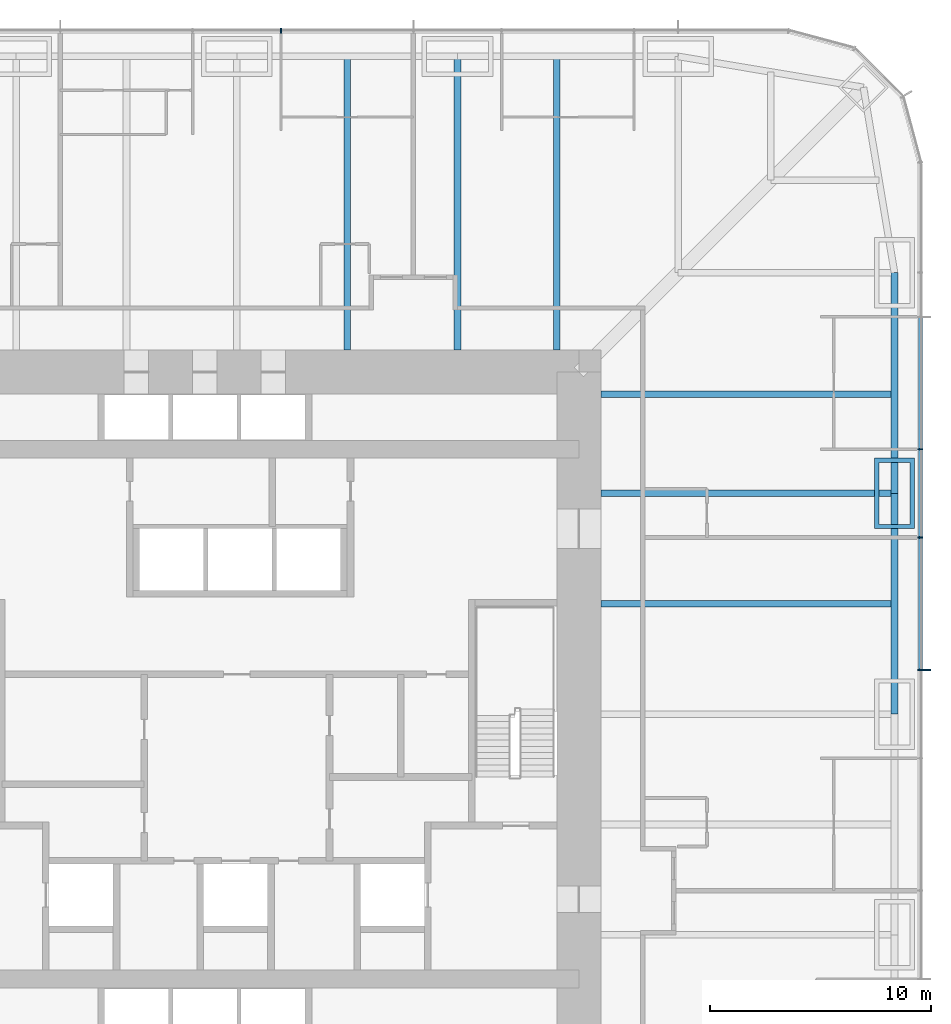
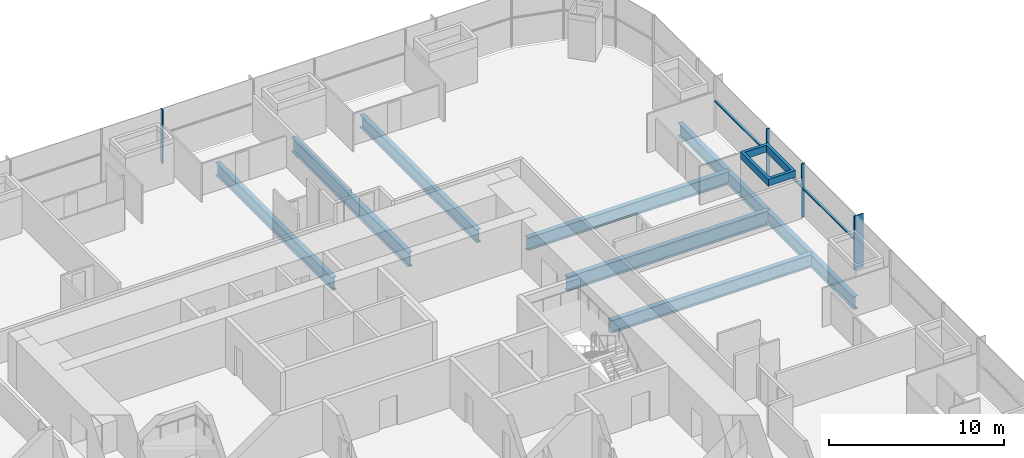
# One storey, part 8 of 17: 8 beams, 8 members, 2 elements without a shape of their own.
"""IFC4 building model written with IfcOpenShell, lengths in metres."""

from ifc_helpers import new_model, si_unit, direction, frame, origin, origin_2d, place, context, subcontext, project, spatial, rectangle, hollow_rectangle, i_section, extrude, material, material_profile, profile_set, type_object, element, aggregate, save


model = new_model("IFC4")

# Units and contexts
model_context = context("Model", 3, precision=1e-05, world=origin(), true_north=direction((0.0, 1.0)))
body_context = subcontext(model_context, "Body", "Model", "MODEL_VIEW")
ifc_project = project(units=[si_unit("LENGTHUNIT", "METRE"), si_unit("AREAUNIT", "SQUARE_METRE"), si_unit("VOLUMEUNIT", "CUBIC_METRE"), si_unit("PLANEANGLEUNIT", "RADIAN"), si_unit("MASSUNIT", "GRAM", prefix="KILO")], contexts=[model_context])

# Site, building, storey
site_placement = place(None, origin())
site = spatial("IfcSite", under=ifc_project, at=site_placement, CompositionType="ELEMENT")
building_placement = place(site_placement, origin())
building = spatial("IfcBuilding", under=site, at=building_placement, Name="Khuree Lantern Residences", CompositionType="ELEMENT")
storey_placement = place(building_placement, frame((0.0, 0.0, 96.0)))
storey = spatial("IfcBuildingStorey", under=building, at=storey_placement, Name="L24", CompositionType="ELEMENT", Elevation=96.0)

# Beams
ifc_material_1 = material(Name="Steel S355", Category="steel")
ifc_material_profile_1 = material_profile(ifc_material_1, i_section(OverallWidth=0.300048828125, OverallDepth=0.89990234375, WebThickness=0.0185546875, FlangeThickness=0.034912109375, FilletRadius=0.030029296875, at=origin_2d()), Name="HE 900 B")
ifc_profile_set_1 = profile_set([ifc_material_profile_1], Name="Steel S355")
beam_type_1 = type_object("IfcBeamType", Name="B-15A SECONDARY BEAM HE 900 B", PredefinedType="BEAM", material=ifc_profile_set_1)
for number, where, z_axis, x_axis, name in (
    (1, (5.0, 29.800048828125, -0.699951171875), (0.0, -1.0, 0.0), (1.0, 0.0, 0.0), "Secondary beam N3"),
    (2, (14.5, 29.800048828125, -0.699951171875), (0.0, -1.0, 0.0), (1.0, 0.0, 0.0), "Secondary beam N4"),
    (3, (29.800048828125, 14.5, -0.699951171875), (-1.0, 0.0, 0.0), (0.0, -1.0, 0.0), "Secondary beam E2"),
    (4, (29.800048828125, 5.0, -0.699951171875), (-1.0, 0.0, 0.0), (0.0, -1.0, 0.0), "Secondary beam E3"),
):
    element("IfcBeam", number, at=place(storey_placement, frame(where, z_axis=z_axis, x_axis=x_axis)), inside=storey, type_object=beam_type_1, Name=name, PredefinedType="BEAM", context=body_context, shape_type="SweptSolid", body=[
        extrude(i_section(OverallWidth=0.300048828125, OverallDepth=0.89990234375, WebThickness=0.0185546875, FlangeThickness=0.034912109375, FilletRadius=0.030029296875, at=origin_2d()), origin(), (0.0, 0.0, 1.0), 13.300048828125),
    ])
ifc_material_profile_2 = material_profile(ifc_material_1, i_section(OverallWidth=0.300048828125, OverallDepth=0.889892578125, WebThickness=0.01611328125, FlangeThickness=0.030029296875, FilletRadius=0.030029296875, at=origin_2d()), Name="HE 900 A")
ifc_profile_set_2 = profile_set([ifc_material_profile_2], Name="Steel S355")
beam_type_2 = type_object("IfcBeamType", Name="E-15A SPANDREL BEAM HE 900 A", PredefinedType="SPANDREL", material=ifc_profile_set_2)
for number, where, z_axis, x_axis, name in (
    (5, (29.800048828125, 20.0, -0.695068359375), (0.0, -1.0, 0.0), (1.0, 0.0, 0.0), "Spandrel beam E2"),
    (6, (29.800048828125, 10.0, -0.695068359375), (0.0, -1.0, 0.0), (1.0, 0.0, 0.0), "Spandrel beam E3"),
):
    element("IfcBeam", number, at=place(storey_placement, frame(where, z_axis=z_axis, x_axis=x_axis)), inside=storey, type_object=beam_type_2, Name=name, PredefinedType="SPANDREL", context=body_context, shape_type="SweptSolid", body=[
        extrude(i_section(OverallWidth=0.300048828125, OverallDepth=0.889892578125, WebThickness=0.01611328125, FlangeThickness=0.030029296875, FilletRadius=0.030029296875, at=origin_2d()), origin(), (0.0, 0.0, 1.0), 10.0),
    ])

# Curtain wall, member
ifc_material_2 = material(Name="Bronze anodised aluminium", Category="aluminium")
curtain_wall_type = type_object("IfcCurtainWallType", Name="CW-T1 TOWER FACE CURTAIN WALL", PredefinedType="USERDEFINED", material=ifc_material_2)
curtain_wall_1_placement = place(storey_placement, origin())
curtain_wall_1 = element("IfcCurtainWall", 7, at=curtain_wall_1_placement, inside=storey, type_object=curtain_wall_type, Name="L24 EAST FACE CURTAIN WALL", ObjectType="Stick-built curtain wall", PredefinedType="USERDEFINED")
ifc_material_profile_3 = material_profile(ifc_material_2, rectangle(XDim=0.06494140625, YDim=0.60009765625, at=origin_2d()), Name="F1 65X600")
ifc_profile_set_3 = profile_set([ifc_material_profile_3], Name="Bronze anodised aluminium")
member_type_1 = type_object("IfcMemberType", Name="F1 BRONZE FIN MULLION TOWER 65X600", PredefinedType="MULLION", material=ifc_profile_set_3)
member_1_placement = place(storey_placement, frame((31.14990234375, 2.0, 0.0), z_axis=(0.0, 0.0, 1.0), x_axis=(0.0, 1.0, 0.0)))
member_1 = element("IfcMember", 8, at=member_1_placement, type_object=member_type_1, Name="L24 EAST FACE FIN MULLION 10", PredefinedType="MULLION", context=body_context, shape_type="SweptSolid", body=[
    extrude(rectangle(XDim=0.06494140625, YDim=0.60009765625, at=origin_2d()), origin(), (0.0, 0.0, 1.0), 3.75),
])

# Beams
ifc_material_profile_4 = material_profile(ifc_material_1, i_section(OverallWidth=0.302001953125, OverallDepth=1.008056640625, WebThickness=0.02099609375, FlangeThickness=0.0400390625, FilletRadius=0.030029296875, at=origin_2d()), Name="HE 1000 M")
ifc_profile_set_4 = profile_set([ifc_material_profile_4], Name="Steel S355")
beam_type_3 = type_object("IfcBeamType", Name="G-15 GIRDER HE 1000 M", PredefinedType="BEAM", material=ifc_profile_set_4)
for number, where, z_axis, x_axis, name in (
    (9, (10.0, 29.800048828125, -0.75390625), (0.0, -1.0, 0.0), (1.0, 0.0, 0.0), "Girder N4"),
    (10, (29.800048828125, 10.0, -0.75390625), (-1.0, 0.0, 0.0), (0.0, -1.0, 0.0), "Girder E2"),
):
    element("IfcBeam", number, at=place(storey_placement, frame(where, z_axis=z_axis, x_axis=x_axis)), inside=storey, type_object=beam_type_3, Name=name, PredefinedType="BEAM", context=body_context, shape_type="SweptSolid", body=[
        extrude(i_section(OverallWidth=0.302001953125, OverallDepth=1.008056640625, WebThickness=0.02099609375, FlangeThickness=0.0400390625, FilletRadius=0.030029296875, at=origin_2d()), origin(), (0.0, 0.0, 1.0), 13.300048828125),
    ])

# Member
ifc_material_profile_5 = material_profile(ifc_material_2, rectangle(XDim=0.06494140625, YDim=0.219970703125, at=origin_2d()), Name="M1 65X220")
ifc_profile_set_5 = profile_set([ifc_material_profile_5], Name="Bronze anodised aluminium")
member_type_2 = type_object("IfcMemberType", Name="M1 BRONZE MULLION TOWER 65X220", PredefinedType="MULLION", material=ifc_profile_set_5)
member_2_placement = place(storey_placement, frame((30.9599609375, 8.0, 0.0), z_axis=(0.0, 0.0, 1.0), x_axis=(0.0, 1.0, 0.0)))
member_2 = element("IfcMember", 11, at=member_2_placement, type_object=member_type_2, Name="L24 EAST FACE MULLION 11", PredefinedType="MULLION", context=body_context, shape_type="SweptSolid", body=[
    extrude(rectangle(XDim=0.06494140625, YDim=0.219970703125, at=origin_2d()), origin(), (0.0, 0.0, 1.0), 3.75),
])

member_3_placement = place(storey_placement, frame((30.9599609375, 12.0, 0.0), z_axis=(0.0, 0.0, 1.0), x_axis=(0.0, 1.0, 0.0)))
member_3 = element("IfcMember", 12, at=member_3_placement, type_object=member_type_2, Name="L24 EAST FACE MULLION 12", PredefinedType="MULLION", context=body_context, shape_type="SweptSolid", body=[
    extrude(rectangle(XDim=0.06494140625, YDim=0.219970703125, at=origin_2d()), origin(), (0.0, 0.0, 1.0), 3.75),
])

# Curtain wall, member
curtain_wall_2_placement = place(storey_placement, origin())
curtain_wall_2 = element("IfcCurtainWall", 13, at=curtain_wall_2_placement, inside=storey, type_object=curtain_wall_type, Name="L24 NORTH FACE CURTAIN WALL", ObjectType="Stick-built curtain wall", PredefinedType="USERDEFINED")
member_4_placement = place(storey_placement, frame((2.0, 30.9599609375, 0.0), z_axis=(0.0, 0.0, 1.0), x_axis=(-1.0, 0.0, 0.0)))
member_4 = element("IfcMember", 14, at=member_4_placement, type_object=member_type_2, Name="L24 NORTH FACE MULLION 23", PredefinedType="MULLION", context=body_context, shape_type="SweptSolid", body=[
    extrude(rectangle(XDim=0.06494140625, YDim=0.219970703125, at=origin_2d()), origin(), (0.0, 0.0, 1.0), 3.75),
])
aggregate(curtain_wall_2, [member_4])

# Member
ifc_material_3 = material(Name="Steel S355 CFT welded box", Category="steel")
ifc_material_profile_6 = material_profile(ifc_material_3, hollow_rectangle(XDim=3.199951171875, YDim=1.800048828125, WallThickness=0.199951171875, at=origin_2d()), Name="WELDED BOX 3200X1800X200")
ifc_profile_set_6 = profile_set([ifc_material_profile_6], Name="Steel S355 CFT welded box")
member_type_3 = type_object("IfcMemberType", Name="MN MEGA COLUMN NODE WELDED BOX 3200X1800X200", PredefinedType="MEMBER", material=ifc_profile_set_6)
member_5_placement = place(storey_placement, frame((29.800048828125, 10.0, 2.6201171875), z_axis=(0.0, 0.0, 1.0), x_axis=(0.0, 1.0, 0.0)))
element("IfcMember", 15, at=member_5_placement, inside=storey, type_object=member_type_3, Name="Mega column node E2", PredefinedType="MEMBER", context=body_context, shape_type="SweptSolid", body=[
    extrude(hollow_rectangle(XDim=3.199951171875, YDim=1.800048828125, WallThickness=0.199951171875, at=origin_2d()), origin(), (0.0, 0.0, 1.0), 0.47998046875),
])

ifc_material_profile_7 = material_profile(ifc_material_2, rectangle(XDim=0.179931640625, YDim=0.06494140625, at=origin_2d()), Name="T1 180X65")
ifc_profile_set_7 = profile_set([ifc_material_profile_7], Name="Bronze anodised aluminium")
member_type_4 = type_object("IfcMemberType", Name="TRANSOM T1 TOWER 180X65", PredefinedType="USERDEFINED", material=ifc_profile_set_7)
member_6_placement = place(storey_placement, frame((30.969970703125, 2.032470703125, 2.050048828125), z_axis=(0.0, 1.0, 0.0), x_axis=(-1.0, 0.0, 0.0)))
member_6 = element("IfcMember", 16, at=member_6_placement, type_object=member_type_4, Name="L24 EAST FACE TRANSOM 10.1", ObjectType="Transom", PredefinedType="USERDEFINED", context=body_context, shape_type="SweptSolid", body=[
    extrude(rectangle(XDim=0.179931640625, YDim=0.06494140625, at=origin_2d()), origin(), (0.0, 0.0, 1.0), 5.93505859375),
])

member_7_placement = place(storey_placement, frame((30.969970703125, 8.032470703125, 2.050048828125), z_axis=(0.0, 1.0, 0.0), x_axis=(-1.0, 0.0, 0.0)))
member_7 = element("IfcMember", 17, at=member_7_placement, type_object=member_type_4, Name="L24 EAST FACE TRANSOM 11.1", ObjectType="Transom", PredefinedType="USERDEFINED", context=body_context, shape_type="SweptSolid", body=[
    extrude(rectangle(XDim=0.179931640625, YDim=0.06494140625, at=origin_2d()), origin(), (0.0, 0.0, 1.0), 3.93505859375),
])

member_8_placement = place(storey_placement, frame((30.969970703125, 12.032470703125, 2.050048828125), z_axis=(0.0, 1.0, 0.0), x_axis=(-1.0, 0.0, 0.0)))
member_8 = element("IfcMember", 18, at=member_8_placement, type_object=member_type_4, Name="L24 EAST FACE TRANSOM 12.1", ObjectType="Transom", PredefinedType="USERDEFINED", context=body_context, shape_type="SweptSolid", body=[
    extrude(rectangle(XDim=0.179931640625, YDim=0.06494140625, at=origin_2d()), origin(), (0.0, 0.0, 1.0), 5.93505859375),
])

aggregate(curtain_wall_1, [member_1, member_2, member_3, member_6, member_7, member_8])

save(model, "model.ifc")
